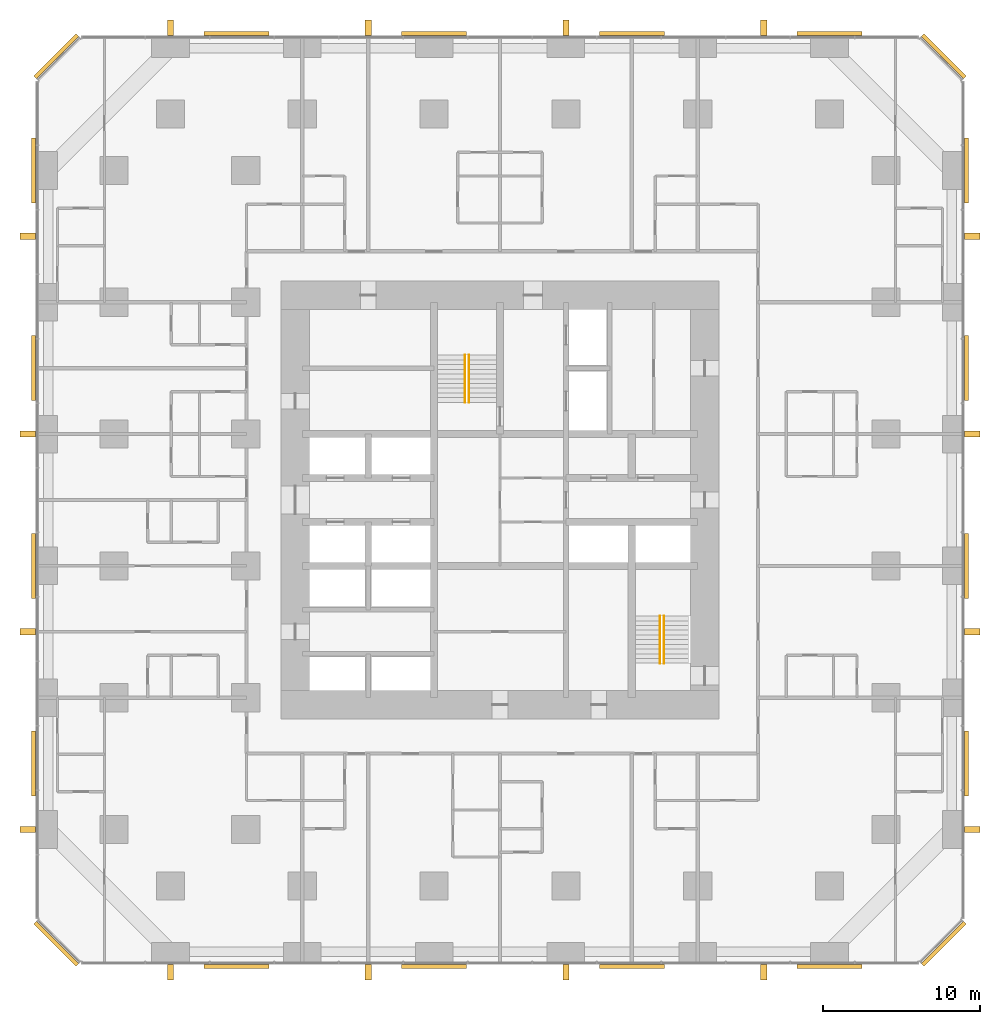
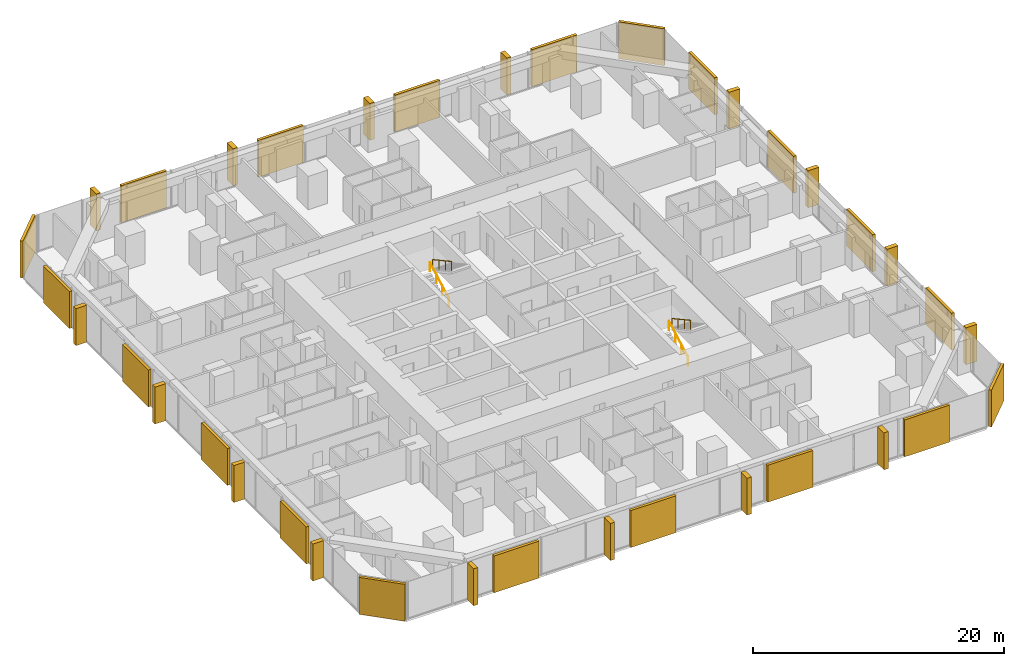
# One storey, part 17 of 17: 20 coverings, 16 shading devices, 4 railings.
"""IFC4 building model written with IfcOpenShell, lengths in metres."""

from ifc_helpers import new_model, si_unit, direction, frame, origin, origin_2d, place, context, subcontext, project, spatial, rectangle, circle, extrude, material, layer, layer_set, type_object, element, save


model = new_model("IFC4")

# Units and contexts
model_context = context("Model", 3, precision=1e-05, world=origin(), true_north=direction((0.0, 1.0)))
body_context = subcontext(model_context, "Body", "Model", "MODEL_VIEW")
ifc_project = project(units=[si_unit("LENGTHUNIT", "METRE"), si_unit("AREAUNIT", "SQUARE_METRE"), si_unit("VOLUMEUNIT", "CUBIC_METRE"), si_unit("PLANEANGLEUNIT", "RADIAN"), si_unit("MASSUNIT", "GRAM", prefix="KILO")], contexts=[model_context])

# Site, building, storey
site_placement = place(None, origin())
site = spatial("IfcSite", under=ifc_project, at=site_placement, CompositionType="ELEMENT")
building_placement = place(site_placement, origin())
building = spatial("IfcBuilding", under=site, at=building_placement, Name="Dunama Terrace Hotel", CompositionType="ELEMENT")
storey_placement = place(building_placement, frame((0.0, 0.0, 37.800048828125)))
storey = spatial("IfcBuildingStorey", under=building, at=storey_placement, Name="L08", CompositionType="ELEMENT", Elevation=37.800048828125)

# Railings
ifc_material_1 = material(Name="Stainless steel handrail", Category="steel")
railing_type = type_object("IfcRailingType", Name="Stair handrail 900", PredefinedType="HANDRAIL", material=ifc_material_1)
railing_1_placement = place(storey_placement, frame((27.175048828125, 35.625, 0.16357421875)))
element("IfcRailing", 1, at=railing_1_placement, inside=storey, type_object=railing_type, Name="Handrail ST1 L08", PredefinedType="HANDRAIL", context=body_context, shape_type="SweptSolid", body=[
    extrude(circle(Radius=0.02392578125, at=origin_2d()), frame((0.0, 0.0, 0.8759765625), z_axis=(0.0, 0.877881921179, 0.478877158013), x_axis=(-1.0, 0.0, 0.0)), (0.0, 0.0, 1.0), 3.417236328125),
    extrude(circle(Radius=0.02099609375, at=origin_2d()), origin(), (0.0, 0.0, 1.0), 0.851806640625),
    extrude(circle(Radius=0.02099609375, at=origin_2d()), frame((0.0, 1.0, 0.54541015625)), (0.0, 0.0, 1.0), 0.851806640625),
    extrude(circle(Radius=0.02099609375, at=origin_2d()), frame((0.0, 2.0, 1.091064453125)), (0.0, 0.0, 1.0), 0.851806640625),
    extrude(circle(Radius=0.02099609375, at=origin_2d()), frame((0.0, 3.0, 1.636474609375)), (0.0, 0.0, 1.0), 0.851806640625),
])
railing_2_placement = place(storey_placement, frame((27.425048828125, 38.625, 1.963623046875)))
element("IfcRailing", 2, at=railing_2_placement, inside=storey, type_object=railing_type, Name="Handrail ST1 L08", PredefinedType="HANDRAIL", context=body_context, shape_type="SweptSolid", body=[
    extrude(circle(Radius=0.02392578125, at=origin_2d()), frame((0.0, 0.0, 0.8759765625), z_axis=(0.0, -0.877911954615, 0.47882209634), x_axis=(1.0, 0.0, 0.0)), (0.0, 0.0, 1.0), 3.417236328125),
    extrude(circle(Radius=0.02099609375, at=origin_2d()), origin(), (0.0, 0.0, 1.0), 0.851806640625),
    extrude(circle(Radius=0.02099609375, at=origin_2d()), frame((0.0, -1.0, 0.54541015625)), (0.0, 0.0, 1.0), 0.851806640625),
    extrude(circle(Radius=0.02099609375, at=origin_2d()), frame((0.0, -2.0, 1.0908203125)), (0.0, 0.0, 1.0), 0.851806640625),
    extrude(circle(Radius=0.02099609375, at=origin_2d()), frame((0.0, -3.0, 1.63623046875)), (0.0, 0.0, 1.0), 0.851806640625),
])
railing_3_placement = place(storey_placement, frame((39.60009765625, 19.0, 0.16357421875)))
element("IfcRailing", 3, at=railing_3_placement, inside=storey, type_object=railing_type, Name="Handrail ST2 L08", PredefinedType="HANDRAIL", context=body_context, shape_type="SweptSolid", body=[
    extrude(circle(Radius=0.02392578125, at=origin_2d()), frame((0.0, 0.0, 0.8759765625), z_axis=(0.0, 0.877881921179, 0.478877158013), x_axis=(-1.0, 0.0, 0.0)), (0.0, 0.0, 1.0), 3.417236328125),
    extrude(circle(Radius=0.02099609375, at=origin_2d()), origin(), (0.0, 0.0, 1.0), 0.851806640625),
    extrude(circle(Radius=0.02099609375, at=origin_2d()), frame((0.0, 1.0, 0.54541015625)), (0.0, 0.0, 1.0), 0.851806640625),
    extrude(circle(Radius=0.02099609375, at=origin_2d()), frame((0.0, 2.0, 1.091064453125)), (0.0, 0.0, 1.0), 0.851806640625),
    extrude(circle(Radius=0.02099609375, at=origin_2d()), frame((0.0, 3.0, 1.636474609375)), (0.0, 0.0, 1.0), 0.851806640625),
])
railing_4_placement = place(storey_placement, frame((39.85009765625, 22.0, 1.963623046875)))
element("IfcRailing", 4, at=railing_4_placement, inside=storey, type_object=railing_type, Name="Handrail ST2 L08", PredefinedType="HANDRAIL", context=body_context, shape_type="SweptSolid", body=[
    extrude(circle(Radius=0.02392578125, at=origin_2d()), frame((0.0, 0.0, 0.8759765625), z_axis=(0.0, -0.877911954615, 0.47882209634), x_axis=(1.0, 0.0, 0.0)), (0.0, 0.0, 1.0), 3.417236328125),
    extrude(circle(Radius=0.02099609375, at=origin_2d()), origin(), (0.0, 0.0, 1.0), 0.851806640625),
    extrude(circle(Radius=0.02099609375, at=origin_2d()), frame((0.0, -1.0, 0.54541015625)), (0.0, 0.0, 1.0), 0.851806640625),
    extrude(circle(Radius=0.02099609375, at=origin_2d()), frame((0.0, -2.0, 1.0908203125)), (0.0, 0.0, 1.0), 0.851806640625),
    extrude(circle(Radius=0.02099609375, at=origin_2d()), frame((0.0, -3.0, 1.63623046875)), (0.0, 0.0, 1.0), 0.851806640625),
])

# Coverings
ifc_material_2 = material(Name="Warm reconstituted stone panel", Category="masonry")
ifc_layer_1 = layer(ifc_material_2, 0.25)
ifc_layer_set_1 = layer_set([ifc_layer_1], Name="Stone diagonal panel")
covering_type = type_object("IfcCoveringType", Name="Stone diagonal panel", PredefinedType="CLADDING", material=ifc_layer_set_1)
for number, where, z_axis, x_axis, name in (
    (5, (12.60009765625, -0.322998046875, 0.001953125), (0.0, 0.0, 1.0), (1.0, 0.0, 0.0), "Stone diagonal panel L08"),
    (6, (25.199951171875, -0.322998046875, 0.001953125), (0.0, 0.0, 1.0), (1.0, 0.0, 0.0), "Stone diagonal panel L08"),
    (7, (37.800048828125, -0.322998046875, 0.001953125), (0.0, 0.0, 1.0), (1.0, 0.0, 0.0), "Stone diagonal panel L08"),
    (8, (50.39990234375, -0.322998046875, 0.001953125), (0.0, 0.0, 1.0), (1.0, 0.0, 0.0), "Stone diagonal panel L08"),
):
    element("IfcCovering", number, at=place(storey_placement, frame(where, z_axis=z_axis, x_axis=x_axis)), inside=storey, type_object=covering_type, Name=name, PredefinedType="CLADDING", context=body_context, shape_type="SweptSolid", body=[
        extrude(rectangle(XDim=4.14990234375, YDim=0.25, at=origin_2d()), origin(), (0.0, 0.0, 1.0), 3.595947265625),
    ])
covering_1_placement = place(storey_placement, frame((57.678955078125, 1.12109375, 0.001953125), z_axis=(0.0, 0.0, 1.0), x_axis=(0.707106781187, 0.707106781187, 0.0)))
element("IfcCovering", 9, at=covering_1_placement, inside=storey, type_object=covering_type, Name="Stone diagonal panel L08", PredefinedType="CLADDING", context=body_context, shape_type="SweptSolid", body=[
    extrude(rectangle(XDim=3.808349609375, YDim=0.25, at=origin_2d()), origin(), (0.0, 0.0, 1.0), 3.595947265625),
])
for number, where, z_axis, x_axis, name in (
    (10, (59.123046875, 12.60009765625, 0.001953125), (0.0, 0.0, 1.0), (0.0, 1.0, 0.0), "Stone diagonal panel L08"),
    (11, (59.123046875, 25.199951171875, 0.001953125), (0.0, 0.0, 1.0), (0.0, 1.0, 0.0), "Stone diagonal panel L08"),
    (12, (59.123046875, 37.800048828125, 0.001953125), (0.0, 0.0, 1.0), (0.0, 1.0, 0.0), "Stone diagonal panel L08"),
    (13, (59.123046875, 50.39990234375, 0.001953125), (0.0, 0.0, 1.0), (0.0, 1.0, 0.0), "Stone diagonal panel L08"),
):
    element("IfcCovering", number, at=place(storey_placement, frame(where, z_axis=z_axis, x_axis=x_axis)), inside=storey, type_object=covering_type, Name=name, PredefinedType="CLADDING", context=body_context, shape_type="SweptSolid", body=[
        extrude(rectangle(XDim=4.14990234375, YDim=0.25, at=origin_2d()), origin(), (0.0, 0.0, 1.0), 3.595947265625),
    ])
covering_2_placement = place(storey_placement, frame((57.678955078125, 57.678955078125, 0.001953125), z_axis=(0.0, 0.0, 1.0), x_axis=(-0.707106781187, 0.707106781187, 0.0)))
element("IfcCovering", 14, at=covering_2_placement, inside=storey, type_object=covering_type, Name="Stone diagonal panel L08", PredefinedType="CLADDING", context=body_context, shape_type="SweptSolid", body=[
    extrude(rectangle(XDim=3.808349609375, YDim=0.25, at=origin_2d()), origin(), (0.0, 0.0, 1.0), 3.595947265625),
])
for number, where, z_axis, x_axis, name in (
    (15, (50.39990234375, 59.123046875, 0.001953125), (0.0, 0.0, 1.0), (-1.0, 0.0, 0.0), "Stone diagonal panel L08"),
    (16, (37.800048828125, 59.123046875, 0.001953125), (0.0, 0.0, 1.0), (-1.0, 0.0, 0.0), "Stone diagonal panel L08"),
    (17, (25.199951171875, 59.123046875, 0.001953125), (0.0, 0.0, 1.0), (-1.0, 0.0, 0.0), "Stone diagonal panel L08"),
    (18, (12.60009765625, 59.123046875, 0.001953125), (0.0, 0.0, 1.0), (-1.0, 0.0, 0.0), "Stone diagonal panel L08"),
):
    element("IfcCovering", number, at=place(storey_placement, frame(where, z_axis=z_axis, x_axis=x_axis)), inside=storey, type_object=covering_type, Name=name, PredefinedType="CLADDING", context=body_context, shape_type="SweptSolid", body=[
        extrude(rectangle(XDim=4.14990234375, YDim=0.25, at=origin_2d()), origin(), (0.0, 0.0, 1.0), 3.595947265625),
    ])
covering_3_placement = place(storey_placement, frame((1.12109375, 57.678955078125, 0.001953125), z_axis=(0.0, 0.0, 1.0), x_axis=(-0.707106781187, -0.707106781187, 0.0)))
element("IfcCovering", 19, at=covering_3_placement, inside=storey, type_object=covering_type, Name="Stone diagonal panel L08", PredefinedType="CLADDING", context=body_context, shape_type="SweptSolid", body=[
    extrude(rectangle(XDim=3.808349609375, YDim=0.25, at=origin_2d()), origin(), (0.0, 0.0, 1.0), 3.595947265625),
])
for number, where, z_axis, x_axis, name in (
    (20, (-0.322998046875, 50.39990234375, 0.001953125), (0.0, 0.0, 1.0), (0.0, -1.0, 0.0), "Stone diagonal panel L08"),
    (21, (-0.322998046875, 37.800048828125, 0.001953125), (0.0, 0.0, 1.0), (0.0, -1.0, 0.0), "Stone diagonal panel L08"),
    (22, (-0.322998046875, 25.199951171875, 0.001953125), (0.0, 0.0, 1.0), (0.0, -1.0, 0.0), "Stone diagonal panel L08"),
    (23, (-0.322998046875, 12.60009765625, 0.001953125), (0.0, 0.0, 1.0), (0.0, -1.0, 0.0), "Stone diagonal panel L08"),
):
    element("IfcCovering", number, at=place(storey_placement, frame(where, z_axis=z_axis, x_axis=x_axis)), inside=storey, type_object=covering_type, Name=name, PredefinedType="CLADDING", context=body_context, shape_type="SweptSolid", body=[
        extrude(rectangle(XDim=4.14990234375, YDim=0.25, at=origin_2d()), origin(), (0.0, 0.0, 1.0), 3.595947265625),
    ])
covering_4_placement = place(storey_placement, frame((1.12109375, 1.12109375, 0.001953125), z_axis=(0.0, 0.0, 1.0), x_axis=(0.707106781187, -0.707106781187, 0.0)))
element("IfcCovering", 24, at=covering_4_placement, inside=storey, type_object=covering_type, Name="Stone diagonal panel L08", PredefinedType="CLADDING", context=body_context, shape_type="SweptSolid", body=[
    extrude(rectangle(XDim=3.808349609375, YDim=0.25, at=origin_2d()), origin(), (0.0, 0.0, 1.0), 3.595947265625),
])

# Shading devices
ifc_material_3 = material(Name="Warm reconstituted stone fin", Category="masonry")
ifc_layer_2 = layer(ifc_material_3, 0.39990234375)
ifc_layer_set_2 = layer_set([ifc_layer_2], Name="Warm stone fin 400x1000")
shading_device_type = type_object("IfcShadingDeviceType", Name="Warm stone fin 400x1000", PredefinedType="USERDEFINED", material=ifc_layer_set_2)
for number, where, z_axis, x_axis, name in (
    (25, (8.39990234375, -0.68798828125, 0.0), (0.0, 0.0, 1.0), (1.0, 0.0, 0.0), "Stone fin"),
    (26, (21.0, -0.68798828125, 0.0), (0.0, 0.0, 1.0), (1.0, 0.0, 0.0), "Stone fin"),
    (27, (33.60009765625, -0.68798828125, 0.0), (0.0, 0.0, 1.0), (1.0, 0.0, 0.0), "Stone fin"),
    (28, (46.199951171875, -0.68798828125, 0.0), (0.0, 0.0, 1.0), (1.0, 0.0, 0.0), "Stone fin"),
    (29, (59.488037109375, 8.39990234375, 0.0), (0.0, 0.0, 1.0), (0.0, 1.0, 0.0), "Stone fin"),
    (30, (59.488037109375, 21.0, 0.0), (0.0, 0.0, 1.0), (0.0, 1.0, 0.0), "Stone fin"),
    (31, (59.488037109375, 33.60009765625, 0.0), (0.0, 0.0, 1.0), (0.0, 1.0, 0.0), "Stone fin"),
    (32, (59.488037109375, 46.199951171875, 0.0), (0.0, 0.0, 1.0), (0.0, 1.0, 0.0), "Stone fin"),
    (33, (46.199951171875, 59.488037109375, 0.0), (0.0, 0.0, 1.0), (-1.0, 0.0, 0.0), "Stone fin"),
    (34, (33.60009765625, 59.488037109375, 0.0), (0.0, 0.0, 1.0), (-1.0, 0.0, 0.0), "Stone fin"),
    (35, (21.0, 59.488037109375, 0.0), (0.0, 0.0, 1.0), (-1.0, 0.0, 0.0), "Stone fin"),
    (36, (8.39990234375, 59.488037109375, 0.0), (0.0, 0.0, 1.0), (-1.0, 0.0, 0.0), "Stone fin"),
    (37, (-0.68798828125, 46.199951171875, 0.0), (0.0, 0.0, 1.0), (0.0, -1.0, 0.0), "Stone fin"),
    (38, (-0.68798828125, 33.60009765625, 0.0), (0.0, 0.0, 1.0), (0.0, -1.0, 0.0), "Stone fin"),
    (39, (-0.68798828125, 21.0, 0.0), (0.0, 0.0, 1.0), (0.0, -1.0, 0.0), "Stone fin"),
    (40, (-0.68798828125, 8.39990234375, 0.0), (0.0, 0.0, 1.0), (0.0, -1.0, 0.0), "Stone fin"),
):
    element("IfcShadingDevice", number, at=place(storey_placement, frame(where, z_axis=z_axis, x_axis=x_axis)), inside=storey, type_object=shading_device_type, Name=name, ObjectType="FIN", PredefinedType="USERDEFINED", context=body_context, shape_type="SweptSolid", body=[
        extrude(rectangle(XDim=0.39990234375, YDim=1.0, at=origin_2d()), origin(), (0.0, 0.0, 1.0), 3.60009765625),
    ])

save(model, "model.ifc")
